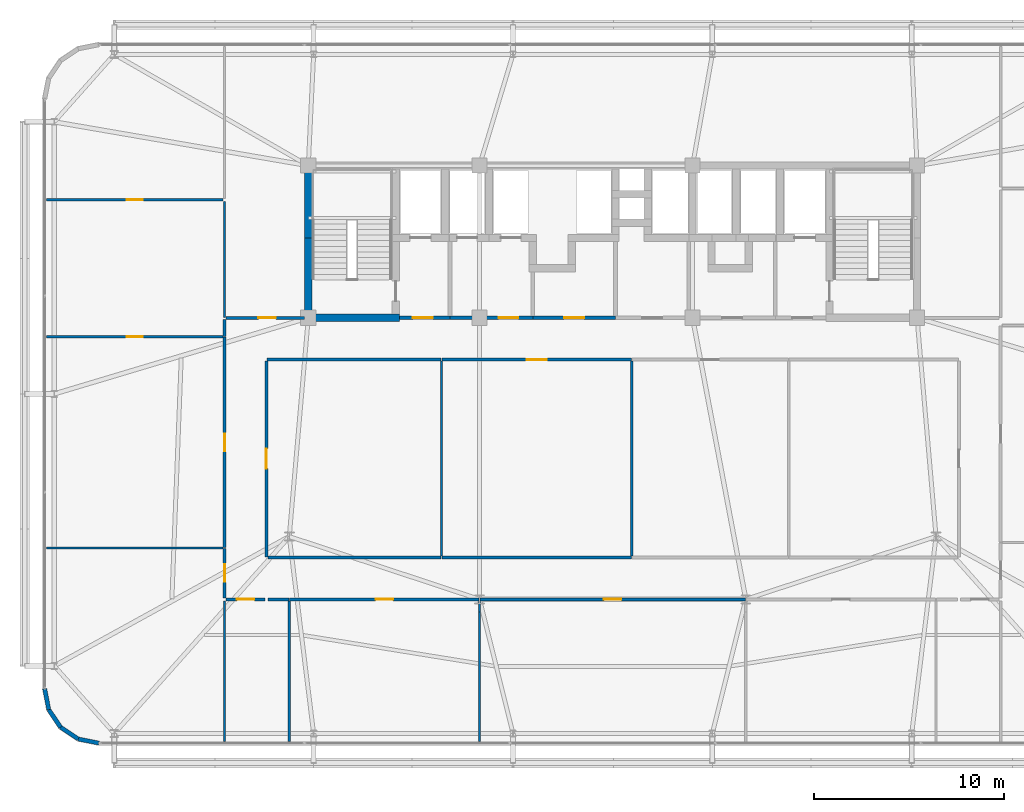
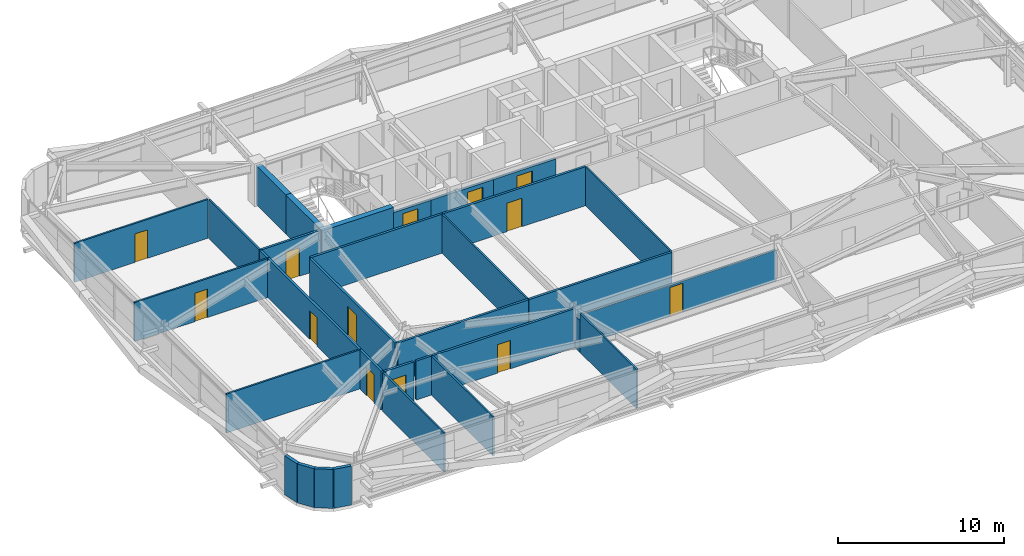
# One storey, part 39 of 45: 33 walls, 13 doors, 13 openings.
"""IFC4 building model written with IfcOpenShell, lengths in metres."""

from ifc_helpers import new_model, si_unit, direction, frame, frame_2d, origin, place, context, subcontext, project, spatial, rectangle, extrude, source, transform, mapped, material, layer, layer_set, type_object, element, fill, save


model = new_model("IFC4")

# Units and contexts
model_context = context("Model", 3, precision=1e-05, world=origin(), true_north=direction((0.0, 1.0)))
body_context = subcontext(model_context, "Body", "Model", "MODEL_VIEW")
ifc_project = project(units=[si_unit("LENGTHUNIT", "METRE"), si_unit("AREAUNIT", "SQUARE_METRE"), si_unit("VOLUMEUNIT", "CUBIC_METRE"), si_unit("PLANEANGLEUNIT", "RADIAN"), si_unit("MASSUNIT", "GRAM", prefix="KILO")], contexts=[model_context])

# Site, building, storey
site_placement = place(None, origin())
site = spatial("IfcSite", under=ifc_project, at=site_placement, CompositionType="ELEMENT")
building_placement = place(site_placement, origin())
building = spatial("IfcBuilding", under=site, at=building_placement, Name="Taldren Reach Tower", CompositionType="ELEMENT")
storey_placement = place(building_placement, frame((0.0, 0.0, 57.75)))
storey = spatial("IfcBuildingStorey", under=building, at=storey_placement, Name="L17", CompositionType="ELEMENT", Elevation=57.75)

# Walls
ifc_material_1 = material(Name="Pale Champagne Anodised Aluminium Cladding", Category="aluminium")
ifc_layer_1 = layer(ifc_material_1, 0.04, Name="Pale Champagne Anodised Aluminium Cladding", Category="aluminium")
ifc_material_2 = material(Name="Mineral Wool Acoustic Insulation", Category="insulation")
ifc_layer_2 = layer(ifc_material_2, 0.06, Name="Mineral Wool Acoustic Insulation", Category="insulation")
ifc_material_3 = material(Name="Steel Gr 350 (C350L0)", Category="steel")
ifc_layer_3 = layer(ifc_material_3, 0.12, Name="Steel Gr 350 (C350L0)", Category="steel")
ifc_layer_set_1 = layer_set([ifc_layer_1, ifc_layer_2, ifc_layer_3], Name="Pale Champagne Aluminium Cladding and Steel Gr 350 Stud Framing")
wall_type_1 = type_object("IfcWallType", Name="EW-CRN-220", PredefinedType="SOLIDWALL", material=ifc_layer_set_1)
shared_shape_1 = source(origin(), body_context, "Body", "SweptSolid", [
    extrude(rectangle(XDim=1.115966796875, YDim=0.219970703125, at=frame_2d((0.55810546875, 0.0))), origin(), (0.0, 0.0, 1.0), 2.8701171875),
])
for number, where, z_axis, x_axis, name in (
    (1, (5.139892578125, 4.5, 0.0), (0.0, 0.0, 1.0), (0.195148375659, -0.98077373103, 0.0), "Rounded-corner pale-metal facade wall L17-SW1"),
    (2, (5.357666015625, 3.405517578125, 0.0), (0.0, 0.0, 1.0), (0.555709556774, -0.83137650226, 0.0), "Rounded-corner pale-metal facade wall L17-SW2"),
    (3, (5.977783203125, 2.477783203125, 0.0), (0.0, 0.0, 1.0), (0.83137650226, -0.555709556774, 0.0), "Rounded-corner pale-metal facade wall L17-SW3"),
    (4, (6.905517578125, 1.857666015625, 0.0), (0.0, 0.0, 1.0), (0.98077373103, -0.195148375659, 0.0), "Rounded-corner pale-metal facade wall L17-SW4"),
):
    element("IfcWall", number, at=place(storey_placement, frame(where, z_axis=z_axis, x_axis=x_axis)), inside=storey, type_object=wall_type_1, Name=name, PredefinedType="SOLIDWALL", context=body_context, shape_type="MappedRepresentation", body=[
        mapped(shared_shape_1, transform((0.0, 0.0, 0.0), scale=1.0)),
    ])
ifc_material_4 = material(Name="Concrete S80 (80 MPa)", Category="concrete")
ifc_layer_4 = layer(ifc_material_4, 0.3798828125)
ifc_layer_set_2 = layer_set([ifc_layer_4], Name="Concrete S80 (80 MPa)")
wall_type_2 = type_object("IfcWallType", Name="IW-CORE-380", PredefinedType="SHEAR", material=ifc_layer_set_2)
shared_shape_2 = source(origin(), body_context, "Body", "SweptSolid", [
    extrude(rectangle(XDim=4.010009765625, YDim=0.3798828125, at=frame_2d((2.0048828125, 0.0))), origin(), (0.0, 0.0, 1.0), 2.8701171875),
])
wall_1_placement = place(storey_placement, frame((19.0, 24.18994140625, 0.0), z_axis=(0.0, 0.0, 1.0), x_axis=(0.0, 1.0, 0.0)))
element("IfcWall", 5, at=wall_1_placement, inside=storey, type_object=wall_type_2, Name="Rear Core Shear Wall W-CORE-L17-WEST1", PredefinedType="SHEAR", context=body_context, shape_type="MappedRepresentation", body=[
    mapped(shared_shape_2, transform((0.0, 0.0, 0.0), scale=1.0)),
])
shared_shape_3 = source(origin(), body_context, "Body", "SweptSolid", [
    extrude(rectangle(XDim=3.610107421875, YDim=0.3798828125, at=frame_2d((1.80517578125, 0.0))), origin(), (0.0, 0.0, 1.0), 2.8701171875),
])
wall_2_placement = place(storey_placement, frame((19.0, 28.199951171875, 0.0), z_axis=(0.0, 0.0, 1.0), x_axis=(0.0, 1.0, 0.0)))
element("IfcWall", 6, at=wall_2_placement, inside=storey, type_object=wall_type_2, Name="Rear Core Shear Wall W-CORE-L17-WEST2", PredefinedType="SHEAR", context=body_context, shape_type="MappedRepresentation", body=[
    mapped(shared_shape_3, transform((0.0, 0.0, 0.0), scale=1.0)),
])
shared_shape_4 = source(origin(), body_context, "Body", "SweptSolid", [
    extrude(rectangle(XDim=4.97998046875, YDim=0.3798828125, at=frame_2d((2.489990234375, 0.0))), origin(), (0.0, 0.0, 1.0), 2.8701171875),
])
wall_3_placement = place(storey_placement, frame((18.81005859375, 24.0, 0.0), z_axis=(0.0, 0.0, 1.0), x_axis=(1.0, 0.0, 0.0)))
element("IfcWall", 7, at=wall_3_placement, inside=storey, type_object=wall_type_2, Name="Rear Core Shear Wall W-INT-L17-003", PredefinedType="SHEAR", context=body_context, shape_type="MappedRepresentation", body=[
    mapped(shared_shape_4, transform((0.0, 0.0, 0.0), scale=1.0)),
])

# Wall, opening, door
ifc_material_5 = material(Name="Concrete S50 (50 MPa)", Category="concrete")
ifc_layer_5 = layer(ifc_material_5, 0.199951171875)
ifc_layer_set_3 = layer_set([ifc_layer_5], Name="Concrete S50 (50 MPa)")
wall_type_3 = type_object("IfcWallType", Name="IW-CORE-200", PredefinedType="SOLIDWALL", material=ifc_layer_set_3)
shared_shape_5 = source(origin(), body_context, "Body", "SweptSolid", [
    extrude(rectangle(XDim=2.659912109375, YDim=0.199951171875, at=frame_2d((1.330078125, 0.0))), origin(), (0.0, 0.0, 1.0), 2.409912109375),
])
wall_4_placement = place(storey_placement, frame((23.7900390625, 24.0, 0.0), z_axis=(0.0, 0.0, 1.0), x_axis=(1.0, 0.0, 0.0)))
wall_4 = element("IfcWall", 8, at=wall_4_placement, inside=storey, type_object=wall_type_3, Name="Rear Core Shear Wall W-INT-L17-007", PredefinedType="SOLIDWALL", context=body_context, shape_type="MappedRepresentation", body=[
    mapped(shared_shape_5, transform((0.0, 0.0, 0.0), scale=1.0)),
])
shared_shape_6 = source(origin(), body_context, "Body", "SweptSolid", [
    extrude(rectangle(XDim=1.050048828125, YDim=2.10009765625, at=frame_2d((0.52490234375, 1.050048828125))), frame((0.0, 0.10986328125, 0.0), z_axis=(0.0, -1.0, 0.0), x_axis=(1.0, 0.0, 0.0)), (0.0, 0.0, 1.0), 0.219970703125),
])
opening_1_placement = place(wall_4_placement, frame((0.7099609375, 0.0, 0.0)))
opening_1 = element("IfcOpeningElement", 9, at=opening_1_placement, cuts=wall_4, Name="Opening DF-105", PredefinedType="OPENING", context=body_context, shape_type="MappedRepresentation", body=[
    mapped(shared_shape_6, transform((0.0, 0.0, 0.0), scale=1.0)),
])
ifc_material_6 = material(Name="Fire-Rated Care and Stair Exit Door")
door_type_1 = type_object("IfcDoorType", Name="ID-FIRE-105", OperationType="NOTDEFINED", PredefinedType="DOOR", material=ifc_material_6)
shared_shape_7 = source(origin(), body_context, "Body", "SweptSolid", [
    extrude(rectangle(XDim=1.050048828125, YDim=2.10009765625, at=frame_2d((0.52490234375, 1.050048828125))), frame((0.0, 0.02490234375, 0.0), z_axis=(0.0, -1.0, 0.0), x_axis=(1.0, 0.0, 0.0)), (0.0, 0.0, 1.0), 0.050048828125),
])
door_1_placement = place(opening_1_placement, origin())
door_1 = element("IfcDoor", 10, at=door_1_placement, inside=storey, type_object=door_type_1, Name="Interior Door DR-L17-002", OperationType="SINGLE_SWING_LEFT", OverallHeight=2.10009765625, OverallWidth=1.050048828125, PredefinedType="DOOR", context=body_context, shape_type="MappedRepresentation", body=[
    mapped(shared_shape_7, transform((0.0, 0.0, 0.0), scale=1.0)),
])
fill(opening_1, door_1)

shared_shape_8 = source(origin(), body_context, "Body", "SweptSolid", [
    extrude(rectangle(XDim=4.35009765625, YDim=0.199951171875, at=frame_2d((2.175048828125, 0.0))), origin(), (0.0, 0.0, 1.0), 2.409912109375),
])
wall_5_placement = place(storey_placement, frame((30.800048828125, 24.0, 0.0), z_axis=(0.0, 0.0, 1.0), x_axis=(-1.0, 0.0, 0.0)))
wall_5 = element("IfcWall", 11, at=wall_5_placement, inside=storey, type_object=wall_type_3, Name="Rear Core Shear Wall W-INT-L17-033", PredefinedType="SOLIDWALL", context=body_context, shape_type="MappedRepresentation", body=[
    mapped(shared_shape_8, transform((0.0, 0.0, 0.0), scale=1.0)),
])
opening_2_placement = place(wall_5_placement, frame((0.75, 0.0, 0.0)))
opening_2 = element("IfcOpeningElement", 12, at=opening_2_placement, cuts=wall_5, Name="Opening DF-105", PredefinedType="OPENING", context=body_context, shape_type="MappedRepresentation", body=[
    mapped(shared_shape_6, transform((0.0, 0.0, 0.0), scale=1.0)),
])
door_2_placement = place(opening_2_placement, frame((1.050048828125, 0.0, 0.0), z_axis=(0.0, 0.0, 1.0), x_axis=(-1.0, 0.0, 0.0)))
door_2 = element("IfcDoor", 13, at=door_2_placement, inside=storey, type_object=door_type_1, Name="Interior Door DR-L17-005", OperationType="SINGLE_SWING_RIGHT", OverallHeight=2.10009765625, OverallWidth=1.050048828125, PredefinedType="DOOR", context=body_context, shape_type="MappedRepresentation", body=[
    mapped(shared_shape_7, transform((0.0, 0.0, 0.0), scale=1.0)),
])
fill(opening_2, door_2)

shared_shape_9 = source(origin(), body_context, "Body", "SweptSolid", [
    extrude(rectangle(XDim=4.349853515625, YDim=0.199951171875, at=frame_2d((2.1748046875, 0.0))), origin(), (0.0, 0.0, 1.0), 2.409912109375),
])
wall_6_placement = place(storey_placement, frame((35.14990234375, 24.0, 0.0), z_axis=(0.0, 0.0, 1.0), x_axis=(-1.0, 0.0, 0.0)))
wall_6 = element("IfcWall", 14, at=wall_6_placement, inside=storey, type_object=wall_type_3, Name="Rear Core Shear Wall W-INT-L17-043", PredefinedType="SOLIDWALL", context=body_context, shape_type="MappedRepresentation", body=[
    mapped(shared_shape_9, transform((0.0, 0.0, 0.0), scale=1.0)),
])
opening_3_placement = place(wall_6_placement, frame((1.64990234375, 0.0, 0.0)))
opening_3 = element("IfcOpeningElement", 15, at=opening_3_placement, cuts=wall_6, Name="Opening DF-105", PredefinedType="OPENING", context=body_context, shape_type="MappedRepresentation", body=[
    mapped(shared_shape_6, transform((0.0, 0.0, 0.0), scale=1.0)),
])
door_3_placement = place(opening_3_placement, frame((1.050048828125, 0.0, 0.0), z_axis=(0.0, 0.0, 1.0), x_axis=(-1.0, 0.0, 0.0)))
door_3 = element("IfcDoor", 16, at=door_3_placement, inside=storey, type_object=door_type_1, Name="Interior Door DR-L17-006", OperationType="SINGLE_SWING_RIGHT", OverallHeight=2.10009765625, OverallWidth=1.050048828125, PredefinedType="DOOR", context=body_context, shape_type="MappedRepresentation", body=[
    mapped(shared_shape_7, transform((0.0, 0.0, 0.0), scale=1.0)),
])
fill(opening_3, door_3)

ifc_material_7 = material(Name="Fire-Rated Acoustic Plasterboard Stud Wall", Category="gypsum")
ifc_layer_6 = layer(ifc_material_7, 0.159912109375)
ifc_layer_set_4 = layer_set([ifc_layer_6], Name="Fire-Rated Acoustic Plasterboard Stud Wall")
wall_type_4 = type_object("IfcWallType", Name="IW-FIRE-160", PredefinedType="PARTITIONING", material=ifc_layer_set_4)
shared_shape_10 = source(origin(), body_context, "Body", "SweptSolid", [
    extrude(rectangle(XDim=10.2998046875, YDim=0.159912109375, at=frame_2d((5.14990234375, 0.0))), origin(), (0.0, 0.0, 1.0), 2.8701171875),
])
wall_7_placement = place(storey_placement, frame((16.800048828125, 21.719970703125, 0.0), z_axis=(0.0, 0.0, 1.0), x_axis=(0.0, -1.0, 0.0)))
wall_7 = element("IfcWall", 17, at=wall_7_placement, inside=storey, type_object=wall_type_4, Name="Interior Partition Wall W-INT-L17-047", PredefinedType="PARTITIONING", context=body_context, shape_type="MappedRepresentation", body=[
    mapped(shared_shape_10, transform((0.0, 0.0, 0.0), scale=1.0)),
])
shared_shape_11 = source(origin(), body_context, "Body", "SweptSolid", [
    extrude(rectangle(XDim=1.050048828125, YDim=2.10009765625, at=frame_2d((0.52490234375, 1.050048828125))), frame((0.0, 0.08984375, 0.0), z_axis=(0.0, -1.0, 0.0), x_axis=(1.0, 0.0, 0.0)), (0.0, 0.0, 1.0), 0.179931640625),
])
opening_4_placement = place(wall_7_placement, frame((4.594970703125, 0.0, 0.0)))
opening_4 = element("IfcOpeningElement", 18, at=opening_4_placement, cuts=wall_7, Name="Opening DF-105", PredefinedType="OPENING", context=body_context, shape_type="MappedRepresentation", body=[
    mapped(shared_shape_11, transform((0.0, 0.0, 0.0), scale=1.0)),
])
door_4_placement = place(opening_4_placement, origin())
door_4 = element("IfcDoor", 19, at=door_4_placement, inside=storey, type_object=door_type_1, Name="Interior Door DR-L17-009", OperationType="SINGLE_SWING_RIGHT", OverallHeight=2.10009765625, OverallWidth=1.050048828125, PredefinedType="DOOR", context=body_context, shape_type="MappedRepresentation", body=[
    mapped(shared_shape_7, transform((0.0, 0.0, 0.0), scale=1.0)),
])
fill(opening_4, door_4)

# Wall
shared_shape_12 = source(origin(), body_context, "Body", "SweptSolid", [
    extrude(rectangle(XDim=9.159423828125, YDim=0.159912109375, at=frame_2d((4.57958984375, 0.0))), origin(), (0.0, 0.0, 1.0), 2.8701171875),
])
wall_8_placement = place(storey_placement, frame((25.979736328125, 21.800048828125, 0.0), z_axis=(0.0, 0.0, 1.0), x_axis=(-1.0, 0.0, 0.0)))
element("IfcWall", 20, at=wall_8_placement, inside=storey, type_object=wall_type_4, Name="Interior Partition Wall W-INT-L17-048", PredefinedType="PARTITIONING", context=body_context, shape_type="MappedRepresentation", body=[
    mapped(shared_shape_12, transform((0.0, 0.0, 0.0), scale=1.0)),
])

# Wall, opening, door
shared_shape_13 = source(origin(), body_context, "Body", "SweptSolid", [
    extrude(rectangle(XDim=9.95947265625, YDim=0.159912109375, at=frame_2d((4.979736328125, 0.0))), origin(), (0.0, 0.0, 1.0), 2.8701171875),
])
wall_9_placement = place(storey_placement, frame((35.979736328125, 21.800048828125, 0.0), z_axis=(0.0, 0.0, 1.0), x_axis=(-1.0, 0.0, 0.0)))
wall_9 = element("IfcWall", 21, at=wall_9_placement, inside=storey, type_object=wall_type_4, Name="Interior Partition Wall W-INT-L17-049", PredefinedType="PARTITIONING", context=body_context, shape_type="MappedRepresentation", body=[
    mapped(shared_shape_13, transform((0.0, 0.0, 0.0), scale=1.0)),
])
opening_5_placement = place(wall_9_placement, frame((4.454833984375, 0.0, 0.0)))
opening_5 = element("IfcOpeningElement", 22, at=opening_5_placement, cuts=wall_9, Name="Opening DF-105", PredefinedType="OPENING", context=body_context, shape_type="MappedRepresentation", body=[
    mapped(shared_shape_11, transform((0.0, 0.0, 0.0), scale=1.0)),
])
door_5_placement = place(opening_5_placement, origin())
door_5 = element("IfcDoor", 23, at=door_5_placement, inside=storey, type_object=door_type_1, Name="Interior Door DR-L17-010", OperationType="SINGLE_SWING_LEFT", OverallHeight=2.10009765625, OverallWidth=1.050048828125, PredefinedType="DOOR", context=body_context, shape_type="MappedRepresentation", body=[
    mapped(shared_shape_7, transform((0.0, 0.0, 0.0), scale=1.0)),
])
fill(opening_5, door_5)

# Wall
wall_10_placement = place(storey_placement, frame((26.020263671875, 11.39990234375, 0.0), z_axis=(0.0, 0.0, 1.0), x_axis=(1.0, 0.0, 0.0)))
element("IfcWall", 24, at=wall_10_placement, inside=storey, type_object=wall_type_4, Name="Interior Partition Wall W-INT-L17-063", PredefinedType="PARTITIONING", context=body_context, shape_type="MappedRepresentation", body=[
    mapped(shared_shape_13, transform((0.0, 0.0, 0.0), scale=1.0)),
])

# Wall, opening, door
wall_11_placement = place(storey_placement, frame((27.979736328125, 9.199951171875, 0.0), z_axis=(0.0, 0.0, 1.0), x_axis=(-1.0, 0.0, 0.0)))
wall_11 = element("IfcWall", 25, at=wall_11_placement, inside=storey, type_object=wall_type_4, Name="Interior Partition Wall W-INT-L17-067", PredefinedType="PARTITIONING", context=body_context, shape_type="MappedRepresentation", body=[
    mapped(shared_shape_13, transform((0.0, 0.0, 0.0), scale=1.0)),
])
shared_shape_14 = source(origin(), body_context, "Body", "SweptSolid", [
    extrude(rectangle(XDim=0.919921875, YDim=2.10009765625, at=frame_2d((0.4599609375, 1.050048828125))), frame((0.0, 0.08984375, 0.0), z_axis=(0.0, -1.0, 0.0), x_axis=(1.0, 0.0, 0.0)), (0.0, 0.0, 1.0), 0.179931640625),
])
opening_6_placement = place(wall_11_placement, frame((4.519775390625, 0.0, 0.0)))
opening_6 = element("IfcOpeningElement", 26, at=opening_6_placement, cuts=wall_11, Name="Opening DI-092", PredefinedType="OPENING", context=body_context, shape_type="MappedRepresentation", body=[
    mapped(shared_shape_14, transform((0.0, 0.0, 0.0), scale=1.0)),
])
ifc_material_8 = material(Name="Solid-Core Timber Suite Door", Category="wood")
door_type_2 = type_object("IfcDoorType", Name="ID-INT-092", OperationType="NOTDEFINED", PredefinedType="DOOR", material=ifc_material_8)
shared_shape_15 = source(origin(), body_context, "Body", "SweptSolid", [
    extrude(rectangle(XDim=0.919921875, YDim=2.10009765625, at=frame_2d((0.4599609375, 1.050048828125))), frame((0.0, 0.02490234375, 0.0), z_axis=(0.0, -1.0, 0.0), x_axis=(1.0, 0.0, 0.0)), (0.0, 0.0, 1.0), 0.050048828125),
])
door_6_placement = place(opening_6_placement, origin())
door_6 = element("IfcDoor", 27, at=door_6_placement, inside=storey, type_object=door_type_2, Name="Interior Door DR-L17-020", OperationType="SINGLE_SWING_LEFT", OverallHeight=2.10009765625, OverallWidth=0.919921875, PredefinedType="DOOR", context=body_context, shape_type="MappedRepresentation", body=[
    mapped(shared_shape_15, transform((0.0, 0.0, 0.0), scale=1.0)),
])
fill(opening_6, door_6)

shared_shape_16 = source(origin(), body_context, "Body", "SweptSolid", [
    extrude(rectangle(XDim=2.0400390625, YDim=0.159912109375, at=frame_2d((1.02001953125, 0.0))), origin(), (0.0, 0.0, 1.0), 2.8701171875),
])
wall_12_placement = place(storey_placement, frame((16.719970703125, 9.199951171875, 0.0), z_axis=(0.0, 0.0, 1.0), x_axis=(-1.0, 0.0, 0.0)))
wall_12 = element("IfcWall", 28, at=wall_12_placement, inside=storey, type_object=wall_type_4, Name="Interior Partition Wall W-INT-L17-053", PredefinedType="PARTITIONING", context=body_context, shape_type="MappedRepresentation", body=[
    mapped(shared_shape_16, transform((0.0, 0.0, 0.0), scale=1.0)),
])
opening_7_placement = place(wall_12_placement, frame((0.56005859375, 0.0, 0.0)))
opening_7 = element("IfcOpeningElement", 29, at=opening_7_placement, cuts=wall_12, Name="Opening DI-092", PredefinedType="OPENING", context=body_context, shape_type="MappedRepresentation", body=[
    mapped(shared_shape_14, transform((0.0, 0.0, 0.0), scale=1.0)),
])
door_7_placement = place(opening_7_placement, origin())
door_7 = element("IfcDoor", 30, at=door_7_placement, inside=storey, type_object=door_type_2, Name="Interior Door DR-L17-013", OperationType="SINGLE_SWING_RIGHT", OverallHeight=2.10009765625, OverallWidth=0.919921875, PredefinedType="DOOR", context=body_context, shape_type="MappedRepresentation", body=[
    mapped(shared_shape_15, transform((0.0, 0.0, 0.0), scale=1.0)),
])
fill(opening_7, door_7)

shared_shape_17 = source(origin(), body_context, "Body", "SweptSolid", [
    extrude(rectangle(XDim=2.59765625, YDim=0.159912109375, at=frame_2d((1.298828125, 0.0))), origin(), (0.0, 0.0, 1.0), 2.8701171875),
])
wall_13_placement = place(storey_placement, frame((14.60009765625, 9.280029296875, 0.0), z_axis=(0.0, 0.0, 1.0), x_axis=(0.0, 1.0, 0.0)))
wall_13 = element("IfcWall", 31, at=wall_13_placement, inside=storey, type_object=wall_type_4, Name="Interior Partition Wall W-INT-L17-055", PredefinedType="PARTITIONING", context=body_context, shape_type="MappedRepresentation", body=[
    mapped(shared_shape_17, transform((0.0, 0.0, 0.0), scale=1.0)),
])
opening_8_placement = place(wall_13_placement, frame((0.8388671875, 0.0, 0.0)))
opening_8 = element("IfcOpeningElement", 32, at=opening_8_placement, cuts=wall_13, Name="Opening DI-092", PredefinedType="OPENING", context=body_context, shape_type="MappedRepresentation", body=[
    mapped(shared_shape_14, transform((0.0, 0.0, 0.0), scale=1.0)),
])
door_8_placement = place(opening_8_placement, origin())
door_8 = element("IfcDoor", 33, at=door_8_placement, inside=storey, type_object=door_type_2, Name="Interior Door DR-L17-015", OperationType="SINGLE_SWING_RIGHT", OverallHeight=2.10009765625, OverallWidth=0.919921875, PredefinedType="DOOR", context=body_context, shape_type="MappedRepresentation", body=[
    mapped(shared_shape_15, transform((0.0, 0.0, 0.0), scale=1.0)),
])
fill(opening_8, door_8)

shared_shape_18 = source(origin(), body_context, "Body", "SweptSolid", [
    extrude(rectangle(XDim=11.061279296875, YDim=0.159912109375, at=frame_2d((5.53076171875, 0.0))), origin(), (0.0, 0.0, 1.0), 2.8701171875),
])
wall_14_placement = place(storey_placement, frame((14.60009765625, 11.918212890625, 0.0), z_axis=(0.0, 0.0, 1.0), x_axis=(0.0, 1.0, 0.0)))
wall_14 = element("IfcWall", 34, at=wall_14_placement, inside=storey, type_object=wall_type_4, Name="Interior Partition Wall W-INT-L17-056", PredefinedType="PARTITIONING", context=body_context, shape_type="MappedRepresentation", body=[
    mapped(shared_shape_18, transform((0.0, 0.0, 0.0), scale=1.0)),
])
opening_9_placement = place(wall_14_placement, frame((5.070556640625, 0.0, 0.0)))
opening_9 = element("IfcOpeningElement", 35, at=opening_9_placement, cuts=wall_14, Name="Opening DI-092", PredefinedType="OPENING", context=body_context, shape_type="MappedRepresentation", body=[
    mapped(shared_shape_14, transform((0.0, 0.0, 0.0), scale=1.0)),
])
door_9_placement = place(opening_9_placement, origin())
door_9 = element("IfcDoor", 36, at=door_9_placement, inside=storey, type_object=door_type_2, Name="Interior Door DR-L17-016", OperationType="SINGLE_SWING_LEFT", OverallHeight=2.10009765625, OverallWidth=0.919921875, PredefinedType="DOOR", context=body_context, shape_type="MappedRepresentation", body=[
    mapped(shared_shape_15, transform((0.0, 0.0, 0.0), scale=1.0)),
])
fill(opening_9, door_9)

# Wall
shared_shape_19 = source(origin(), body_context, "Body", "SweptSolid", [
    extrude(rectangle(XDim=0.899658203125, YDim=0.159912109375, at=frame_2d((0.44970703125, 0.0))), origin(), (0.0, 0.0, 1.0), 2.8701171875),
])
wall_15_placement = place(storey_placement, frame((14.60009765625, 23.020263671875, 0.0), z_axis=(0.0, 0.0, 1.0), x_axis=(0.0, 1.0, 0.0)))
element("IfcWall", 37, at=wall_15_placement, inside=storey, type_object=wall_type_4, Name="Interior Partition Wall W-INT-L17-057", PredefinedType="PARTITIONING", context=body_context, shape_type="MappedRepresentation", body=[
    mapped(shared_shape_19, transform((0.0, 0.0, 0.0), scale=1.0)),
])

# Wall, opening, door
shared_shape_20 = source(origin(), body_context, "Body", "SweptSolid", [
    extrude(rectangle(XDim=4.130126953125, YDim=0.159912109375, at=frame_2d((2.06494140625, 0.0))), origin(), (0.0, 0.0, 1.0), 2.8701171875),
])
wall_16_placement = place(storey_placement, frame((14.679931640625, 24.0, 0.0), z_axis=(0.0, 0.0, 1.0), x_axis=(1.0, 0.0, 0.0)))
wall_16 = element("IfcWall", 38, at=wall_16_placement, inside=storey, type_object=wall_type_4, Name="Interior Partition Wall W-INT-L17-060", PredefinedType="PARTITIONING", context=body_context, shape_type="MappedRepresentation", body=[
    mapped(shared_shape_20, transform((0.0, 0.0, 0.0), scale=1.0)),
])
opening_10_placement = place(wall_16_placement, frame((1.68994140625, 0.0, 0.0)))
opening_10 = element("IfcOpeningElement", 39, at=opening_10_placement, cuts=wall_16, Name="Opening DI-092", PredefinedType="OPENING", context=body_context, shape_type="MappedRepresentation", body=[
    mapped(shared_shape_14, transform((0.0, 0.0, 0.0), scale=1.0)),
])
door_10_placement = place(opening_10_placement, origin())
door_10 = element("IfcDoor", 40, at=door_10_placement, inside=storey, type_object=door_type_2, Name="Interior Door DR-L17-019", OperationType="SINGLE_SWING_RIGHT", OverallHeight=2.10009765625, OverallWidth=0.919921875, PredefinedType="DOOR", context=body_context, shape_type="MappedRepresentation", body=[
    mapped(shared_shape_15, transform((0.0, 0.0, 0.0), scale=1.0)),
])
fill(opening_10, door_10)

# Walls
shared_shape_21 = source(origin(), body_context, "Body", "SweptSolid", [
    extrude(rectangle(XDim=9.099853515625, YDim=0.159912109375, at=frame_2d((4.5498046875, 0.0))), origin(), (0.0, 0.0, 1.0), 2.8701171875),
])
wall_17_placement = place(storey_placement, frame((16.8798828125, 11.39990234375, 0.0), z_axis=(0.0, 0.0, 1.0), x_axis=(1.0, 0.0, 0.0)))
element("IfcWall", 41, at=wall_17_placement, inside=storey, type_object=wall_type_4, Name="Interior Partition Wall W-INT-L17-062", PredefinedType="PARTITIONING", context=body_context, shape_type="MappedRepresentation", body=[
    mapped(shared_shape_21, transform((0.0, 0.0, 0.0), scale=1.0)),
])
shared_shape_22 = source(origin(), body_context, "Body", "SweptSolid", [
    extrude(rectangle(XDim=1.099853515625, YDim=0.159912109375, at=frame_2d((0.5498046875, 0.0))), origin(), (0.0, 0.0, 1.0), 2.8701171875),
])
wall_18_placement = place(storey_placement, frame((17.979736328125, 9.199951171875, 0.0), z_axis=(0.0, 0.0, 1.0), x_axis=(-1.0, 0.0, 0.0)))
element("IfcWall", 42, at=wall_18_placement, inside=storey, type_object=wall_type_4, Name="Interior Partition Wall W-INT-L17-066", PredefinedType="PARTITIONING", context=body_context, shape_type="MappedRepresentation", body=[
    mapped(shared_shape_22, transform((0.0, 0.0, 0.0), scale=1.0)),
])

# Wall, opening, door
shared_shape_23 = source(origin(), body_context, "Body", "SweptSolid", [
    extrude(rectangle(XDim=13.95947265625, YDim=0.159912109375, at=frame_2d((6.979736328125, 0.0))), origin(), (0.0, 0.0, 1.0), 2.26806640625),
])
wall_19_placement = place(storey_placement, frame((41.979736328125, 9.199951171875, 0.0), z_axis=(0.0, 0.0, 1.0), x_axis=(-1.0, 0.0, 0.0)))
wall_19 = element("IfcWall", 43, at=wall_19_placement, inside=storey, type_object=wall_type_4, Name="Interior Partition Wall W-INT-L17-068", PredefinedType="PARTITIONING", context=body_context, shape_type="MappedRepresentation", body=[
    mapped(shared_shape_23, transform((0.0, 0.0, 0.0), scale=1.0)),
])
opening_11_placement = place(wall_19_placement, frame((6.519775390625, 0.0, 0.0)))
opening_11 = element("IfcOpeningElement", 44, at=opening_11_placement, cuts=wall_19, Name="Opening DI-092", PredefinedType="OPENING", context=body_context, shape_type="MappedRepresentation", body=[
    mapped(shared_shape_14, transform((0.0, 0.0, 0.0), scale=1.0)),
])
door_11_placement = place(opening_11_placement, origin())
door_11 = element("IfcDoor", 45, at=door_11_placement, inside=storey, type_object=door_type_2, Name="Interior Door DR-L17-021", OperationType="SINGLE_SWING_RIGHT", OverallHeight=2.10009765625, OverallWidth=0.919921875, PredefinedType="DOOR", context=body_context, shape_type="MappedRepresentation", body=[
    mapped(shared_shape_15, transform((0.0, 0.0, 0.0), scale=1.0)),
])
fill(opening_11, door_11)

# Walls
ifc_material_9 = material(Name="Insulated Residential Stud Partition", Category="gypsum")
ifc_layer_7 = layer(ifc_material_9, 0.1201171875)
ifc_layer_set_5 = layer_set([ifc_layer_7], Name="Insulated Residential Stud Partition")
wall_type_5 = type_object("IfcWallType", Name="IW-PART-120", PredefinedType="PARTITIONING", material=ifc_layer_set_5)
shared_shape_24 = source(origin(), body_context, "Body", "SweptSolid", [
    extrude(rectangle(XDim=10.239990234375, YDim=0.1201171875, at=frame_2d((5.1201171875, 0.0))), origin(), (0.0, 0.0, 1.0), 2.8701171875),
])
for number, where, z_axis, x_axis, name in (
    (46, (26.0, 21.719970703125, 0.0), (0.0, 0.0, 1.0), (0.0, -1.0, 0.0), "Interior Partition Wall W-INT-L17-071"),
    (47, (36.0, 21.719970703125, 0.0), (0.0, 0.0, 1.0), (0.0, -1.0, 0.0), "Interior Partition Wall W-INT-L17-072"),
):
    element("IfcWall", number, at=place(storey_placement, frame(where, z_axis=z_axis, x_axis=x_axis)), inside=storey, type_object=wall_type_5, Name=name, PredefinedType="PARTITIONING", context=body_context, shape_type="MappedRepresentation", body=[
        mapped(shared_shape_24, transform((0.0, 0.0, 0.0), scale=1.0)),
    ])
shared_shape_25 = source(origin(), body_context, "Body", "SweptSolid", [
    extrude(rectangle(XDim=7.385986328125, YDim=0.1201171875, at=frame_2d((3.69287109375, 0.0))), origin(), (0.0, 0.0, 1.0), 2.8701171875),
])
for number, where, z_axis, x_axis, name in (
    (48, (18.0, 9.117919921875, 0.0), (0.0, 0.0, 1.0), (0.0, -1.0, 0.0), "Interior Partition Wall W-INT-L17-074"),
    (49, (14.60009765625, 1.73193359375, 0.0), (0.0, 0.0, 1.0), (0.0, 1.0, 0.0), "Interior Partition Wall W-INT-L17-075"),
):
    element("IfcWall", number, at=place(storey_placement, frame(where, z_axis=z_axis, x_axis=x_axis)), inside=storey, type_object=wall_type_5, Name=name, PredefinedType="PARTITIONING", context=body_context, shape_type="MappedRepresentation", body=[
        mapped(shared_shape_25, transform((0.0, 0.0, 0.0), scale=1.0)),
    ])
shared_shape_26 = source(origin(), body_context, "Body", "SweptSolid", [
    extrude(rectangle(XDim=0.591796875, YDim=0.1201171875, at=frame_2d((0.2958984375, 0.0))), origin(), (0.0, 0.0, 1.0), 2.3369140625),
])
wall_20_placement = place(storey_placement, frame((28.0, 9.1201171875, 0.0), z_axis=(0.0, 0.0, 1.0), x_axis=(0.0, -1.0, 0.0)))
element("IfcWall", 50, at=wall_20_placement, inside=storey, type_object=wall_type_5, Name="Interior Partition Wall W-INT-L17-076", PredefinedType="PARTITIONING", context=body_context, shape_type="MappedRepresentation", body=[
    mapped(shared_shape_26, transform((0.0, 0.0, 0.0), scale=1.0)),
])
shared_shape_27 = source(origin(), body_context, "Body", "SweptSolid", [
    extrude(rectangle(XDim=6.79833984375, YDim=0.1201171875, at=frame_2d((3.399169921875, 0.0))), origin(), (0.0, 0.0, 1.0), 2.8701171875),
])
wall_21_placement = place(storey_placement, frame((28.0, 8.5283203125, 0.0), z_axis=(0.0, 0.0, 1.0), x_axis=(0.0, -1.0, 0.0)))
element("IfcWall", 51, at=wall_21_placement, inside=storey, type_object=wall_type_5, Name="Interior Partition Wall W-INT-L17-076 part 2", PredefinedType="PARTITIONING", context=body_context, shape_type="MappedRepresentation", body=[
    mapped(shared_shape_27, transform((0.0, 0.0, 0.0), scale=1.0)),
])
shared_shape_28 = source(origin(), body_context, "Body", "SweptSolid", [
    extrude(rectangle(XDim=9.2900390625, YDim=0.1201171875, at=frame_2d((4.64501953125, 0.0))), origin(), (0.0, 0.0, 1.0), 2.8701171875),
])
wall_22_placement = place(storey_placement, frame((5.22998046875, 11.89794921875, 0.0), z_axis=(0.0, 0.0, 1.0), x_axis=(1.0, 0.0, 0.0)))
element("IfcWall", 52, at=wall_22_placement, inside=storey, type_object=wall_type_5, Name="Interior Partition Wall W-INT-L17-080", PredefinedType="PARTITIONING", context=body_context, shape_type="MappedRepresentation", body=[
    mapped(shared_shape_28, transform((0.0, 0.0, 0.0), scale=1.0)),
])

# Wall, opening, door
wall_23_placement = place(storey_placement, frame((5.22998046875, 30.199951171875, 0.0), z_axis=(0.0, 0.0, 1.0), x_axis=(1.0, 0.0, 0.0)))
wall_23 = element("IfcWall", 53, at=wall_23_placement, inside=storey, type_object=wall_type_5, Name="Interior Partition Wall W-INT-L17-082", PredefinedType="PARTITIONING", context=body_context, shape_type="MappedRepresentation", body=[
    mapped(shared_shape_28, transform((0.0, 0.0, 0.0), scale=1.0)),
])
shared_shape_29 = source(origin(), body_context, "Body", "SweptSolid", [
    extrude(rectangle(XDim=0.860107421875, YDim=2.10009765625, at=frame_2d((0.43017578125, 1.050048828125))), frame((0.0, 0.070068359375, 0.0), z_axis=(0.0, -1.0, 0.0), x_axis=(1.0, 0.0, 0.0)), (0.0, 0.0, 1.0), 0.14013671875),
])
opening_12_placement = place(wall_23_placement, frame((4.215087890625, 0.0, 0.0)))
opening_12 = element("IfcOpeningElement", 54, at=opening_12_placement, cuts=wall_23, Name="Opening DI-086", PredefinedType="OPENING", context=body_context, shape_type="MappedRepresentation", body=[
    mapped(shared_shape_29, transform((0.0, 0.0, 0.0), scale=1.0)),
])
ifc_material_10 = material(Name="Timber Bathroom Door", Category="wood")
door_type_3 = type_object("IfcDoorType", Name="ID-INT-086", OperationType="NOTDEFINED", PredefinedType="DOOR", material=ifc_material_10)
shared_shape_30 = source(origin(), body_context, "Body", "SweptSolid", [
    extrude(rectangle(XDim=0.860107421875, YDim=2.10009765625, at=frame_2d((0.43017578125, 1.050048828125))), frame((0.0, 0.02490234375, 0.0), z_axis=(0.0, -1.0, 0.0), x_axis=(1.0, 0.0, 0.0)), (0.0, 0.0, 1.0), 0.050048828125),
])
door_12_placement = place(opening_12_placement, frame((0.860107421875, 0.0, 0.0), z_axis=(0.0, 0.0, 1.0), x_axis=(-1.0, 0.0, 0.0)))
door_12 = element("IfcDoor", 55, at=door_12_placement, inside=storey, type_object=door_type_3, Name="Interior Door DR-L17-024", OperationType="SINGLE_SWING_RIGHT", OverallHeight=2.10009765625, OverallWidth=0.860107421875, PredefinedType="DOOR", context=body_context, shape_type="MappedRepresentation", body=[
    mapped(shared_shape_30, transform((0.0, 0.0, 0.0), scale=1.0)),
])
fill(opening_12, door_12)

shared_shape_31 = source(origin(), body_context, "Body", "SweptSolid", [
    extrude(rectangle(XDim=9.2841796875, YDim=0.1201171875, at=frame_2d((4.64208984375, 0.0))), origin(), (0.0, 0.0, 1.0), 2.8701171875),
])
wall_24_placement = place(storey_placement, frame((5.23291015625, 23.0, 0.0), z_axis=(0.0, 0.0, 1.0), x_axis=(1.0, 0.0, 0.0)))
wall_24 = element("IfcWall", 56, at=wall_24_placement, inside=storey, type_object=wall_type_5, Name="Interior Partition Wall W-INT-L17-081", PredefinedType="PARTITIONING", context=body_context, shape_type="MappedRepresentation", body=[
    mapped(shared_shape_31, transform((0.0, 0.0, 0.0), scale=1.0)),
])
opening_13_placement = place(wall_24_placement, frame((4.212158203125, 0.0, 0.0)))
opening_13 = element("IfcOpeningElement", 57, at=opening_13_placement, cuts=wall_24, Name="Opening DI-086", PredefinedType="OPENING", context=body_context, shape_type="MappedRepresentation", body=[
    mapped(shared_shape_29, transform((0.0, 0.0, 0.0), scale=1.0)),
])
door_13_placement = place(opening_13_placement, origin())
door_13 = element("IfcDoor", 58, at=door_13_placement, inside=storey, type_object=door_type_3, Name="Interior Door DR-L17-023", OperationType="SINGLE_SWING_RIGHT", OverallHeight=2.10009765625, OverallWidth=0.860107421875, PredefinedType="DOOR", context=body_context, shape_type="MappedRepresentation", body=[
    mapped(shared_shape_30, transform((0.0, 0.0, 0.0), scale=1.0)),
])
fill(opening_13, door_13)

# Wall
shared_shape_32 = source(origin(), body_context, "Body", "SweptSolid", [
    extrude(rectangle(XDim=6.099853515625, YDim=0.1201171875, at=frame_2d((3.0498046875, 0.0))), origin(), (0.0, 0.0, 1.0), 2.8701171875),
])
wall_25_placement = place(storey_placement, frame((14.60009765625, 30.1201171875, 0.0), z_axis=(0.0, 0.0, 1.0), x_axis=(0.0, -1.0, 0.0)))
element("IfcWall", 59, at=wall_25_placement, inside=storey, type_object=wall_type_5, Name="Interior Partition Wall W-INT-L17-083", PredefinedType="PARTITIONING", context=body_context, shape_type="MappedRepresentation", body=[
    mapped(shared_shape_32, transform((0.0, 0.0, 0.0), scale=1.0)),
])

save(model, "model.ifc")
